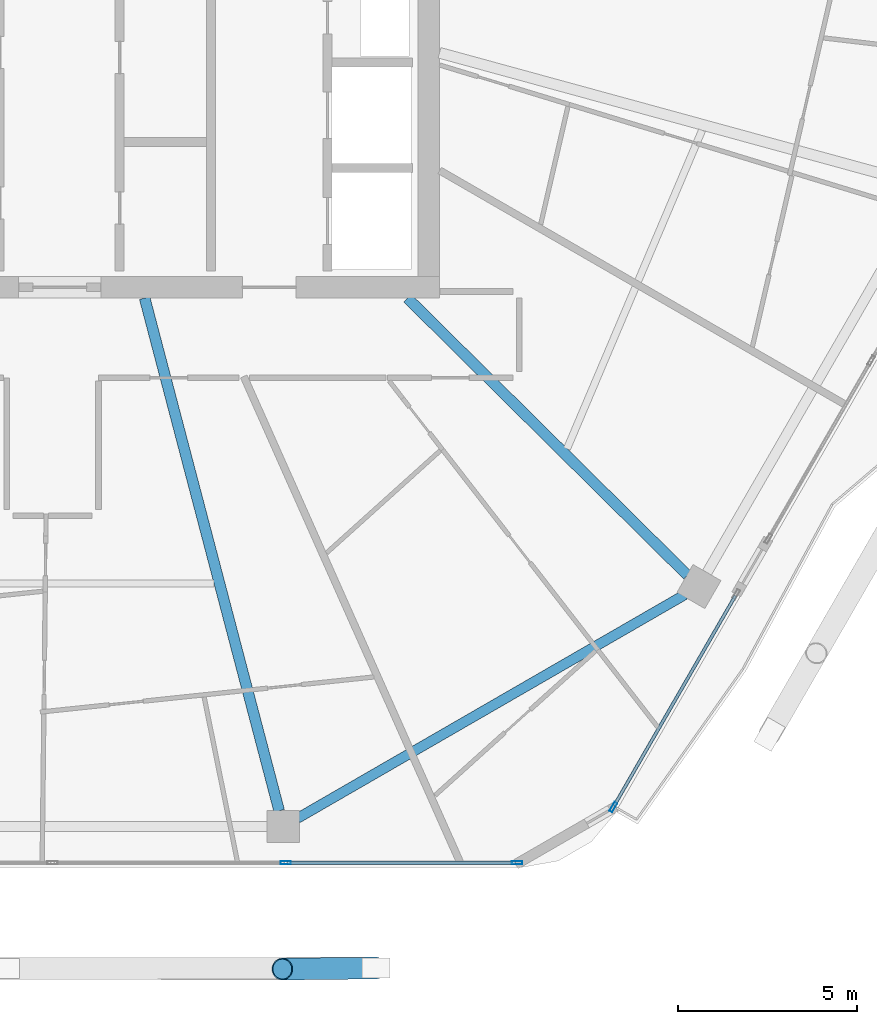
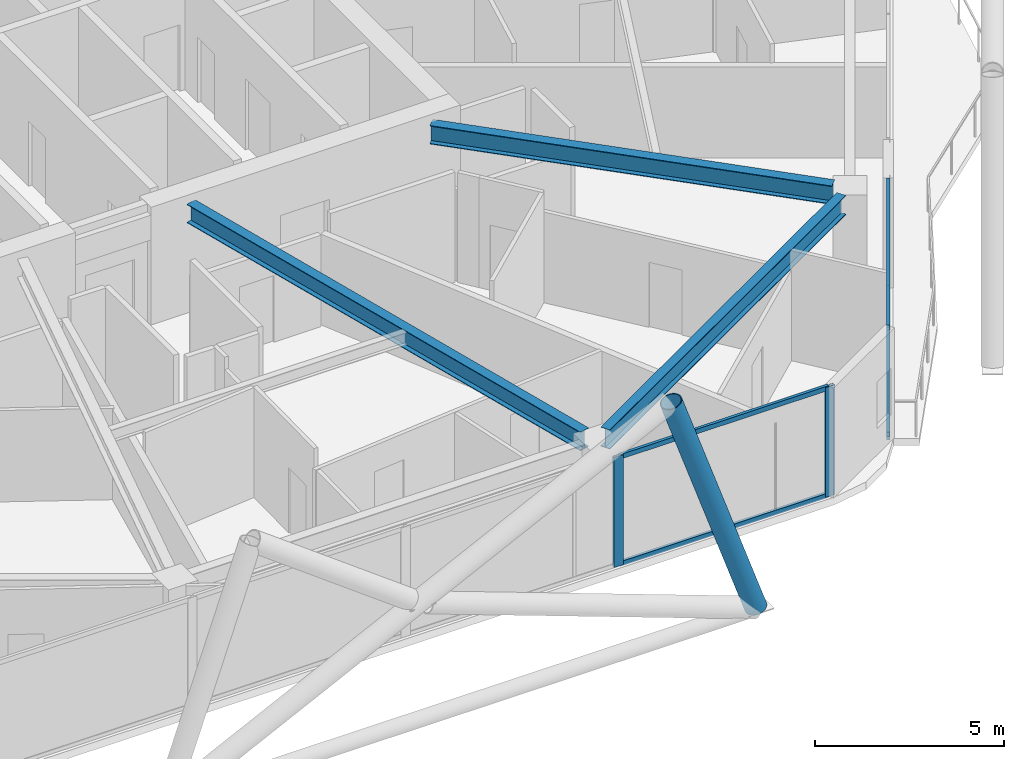
# One storey, part 8 of 29: 8 members, 3 beams, 2 elements without a shape of their own.
"""IFC4 building model written with IfcOpenShell, lengths in metres."""

from ifc_helpers import new_model, si_unit, direction, frame, origin, origin_2d, place, context, subcontext, project, spatial, hollow_rectangle, hollow_circle, i_section, extrude, material, material_profile, profile_set, type_object, element, aggregate, save


model = new_model("IFC4")

# Units and contexts
model_context = context("Model", 3, precision=1e-05, world=origin(), true_north=direction((0.0, 1.0)))
body_context = subcontext(model_context, "Body", "Model", "MODEL_VIEW")
ifc_project = project(units=[si_unit("LENGTHUNIT", "METRE"), si_unit("AREAUNIT", "SQUARE_METRE"), si_unit("VOLUMEUNIT", "CUBIC_METRE"), si_unit("PLANEANGLEUNIT", "RADIAN"), si_unit("MASSUNIT", "GRAM", prefix="KILO")], contexts=[model_context])

# Site, building, storey
site_placement = place(None, origin())
site = spatial("IfcSite", under=ifc_project, at=site_placement, CompositionType="ELEMENT")
building_placement = place(site_placement, origin())
building = spatial("IfcBuilding", under=site, at=building_placement, Name="Zuhravey Tower", CompositionType="ELEMENT")
storey_placement = place(building_placement, frame((0.0, 0.0, 246.39990234375)))
storey = spatial("IfcBuildingStorey", under=building, at=storey_placement, Name="L62", CompositionType="ELEMENT", Elevation=246.39990234375)

# Curtain wall, member
ifc_material_1 = material(Name="Thermally broken anodised aluminium", Category="aluminium")
curtain_wall_type = type_object("IfcCurtainWallType", Name="Zone 3-4 High-Rise Curtain Wall CW4", PredefinedType="NOTDEFINED", material=ifc_material_1)
curtain_wall_1_placement = place(storey_placement, origin())
curtain_wall_1 = element("IfcCurtainWall", 1, at=curtain_wall_1_placement, inside=storey, type_object=curtain_wall_type, Name="L62 CW4 CW-L62-F6-2", PredefinedType="NOTDEFINED")
ifc_material_2 = material(Name="Anodised aluminium", Category="aluminium")
ifc_material_profile_1 = material_profile(ifc_material_2, hollow_rectangle(XDim=0.090087890625, YDim=0.284912109375, WallThickness=0.0048828125, at=origin_2d()), Name="ALU-RHS-90x285x5")
ifc_profile_set_1 = profile_set([ifc_material_profile_1], Name="Anodised aluminium")
member_type_1 = type_object("IfcMemberType", Name="Curtain-Wall Mullion 90x180", PredefinedType="MULLION", material=ifc_profile_set_1)
member_1_placement = place(storey_placement, frame((51.65478515625, 7.98779296875, 0.0), z_axis=(0.0, 0.0, 1.0), x_axis=(0.866023613839, -0.500003100264, 0.0)))
member_1 = element("IfcMember", 2, at=member_1_placement, type_object=member_type_1, Name="CW4 mullion 2", PredefinedType="MULLION", context=body_context, shape_type="SweptSolid", body=[
    extrude(hollow_rectangle(XDim=0.090087890625, YDim=0.284912109375, WallThickness=0.0048828125, at=origin_2d()), origin(), (0.0, 0.0, 1.0), 3.550048828125),
])

# Curtain wall, members
curtain_wall_2_placement = place(storey_placement, origin())
curtain_wall_2 = element("IfcCurtainWall", 3, at=curtain_wall_2_placement, inside=storey, type_object=curtain_wall_type, Name="L62 CW4 CW-L62-F5-1", PredefinedType="NOTDEFINED")
member_2_placement = place(storey_placement, frame((48.9677734375, 6.436279296875, 0.0), z_axis=(0.0, 0.0, 1.0), x_axis=(0.0, -1.0, 0.0)))
member_2 = element("IfcMember", 4, at=member_2_placement, type_object=member_type_1, Name="CW4 mullion 1", PredefinedType="MULLION", context=body_context, shape_type="SweptSolid", body=[
    extrude(hollow_rectangle(XDim=0.090087890625, YDim=0.284912109375, WallThickness=0.0048828125, at=origin_2d()), origin(), (0.0, 0.0, 1.0), 3.550048828125),
])
member_3_placement = place(storey_placement, frame((42.50634765625, 6.436279296875, 0.0), z_axis=(0.0, 0.0, 1.0), x_axis=(0.0, -1.0, 0.0)))
member_3 = element("IfcMember", 5, at=member_3_placement, type_object=member_type_1, Name="CW4 mullion 2", PredefinedType="MULLION", context=body_context, shape_type="SweptSolid", body=[
    extrude(hollow_rectangle(XDim=0.090087890625, YDim=0.284912109375, WallThickness=0.0048828125, at=origin_2d()), origin(), (0.0, 0.0, 1.0), 3.550048828125),
])

# Member
ifc_material_profile_2 = material_profile(ifc_material_2, hollow_rectangle(XDim=0.090087890625, YDim=0.14990234375, WallThickness=0.0048828125, at=origin_2d()), Name="ALU-RHS-90x150x5")
ifc_profile_set_2 = profile_set([ifc_material_profile_2], Name="Anodised aluminium")
member_type_2 = type_object("IfcMemberType", Name="Curtain-Wall Transom 90x150", PredefinedType="USERDEFINED", material=ifc_profile_set_2)
member_4_placement = place(storey_placement, frame((55.0625, 13.889892578125, 0.045166015625), z_axis=(-0.499998195608, -0.866026445548, 0.0), x_axis=(0.866026445548, -0.499998195608, 0.0)))
member_4 = element("IfcMember", 6, at=member_4_placement, type_object=member_type_2, Name="CW4 transom 1.1", ObjectType="TRANSOM", PredefinedType="USERDEFINED", context=body_context, shape_type="SweptSolid", body=[
    extrude(hollow_rectangle(XDim=0.090087890625, YDim=0.14990234375, WallThickness=0.0048828125, at=origin_2d()), origin(), (0.0, 0.0, 1.0), 6.77001953125),
])

member_5_placement = place(storey_placement, frame((55.0625, 13.889892578125, 3.505126953125), z_axis=(-0.499998195608, -0.866026445548, 0.0), x_axis=(0.866026445548, -0.499998195608, 0.0)))
member_5 = element("IfcMember", 7, at=member_5_placement, type_object=member_type_2, Name="CW4 transom 1.2", ObjectType="TRANSOM", PredefinedType="USERDEFINED", context=body_context, shape_type="SweptSolid", body=[
    extrude(hollow_rectangle(XDim=0.090087890625, YDim=0.14990234375, WallThickness=0.0048828125, at=origin_2d()), origin(), (0.0, 0.0, 1.0), 6.77001953125),
])

aggregate(curtain_wall_1, [member_1, member_4, member_5])

member_6_placement = place(storey_placement, frame((48.922607421875, 6.436279296875, 0.045166015625), z_axis=(-1.0, 0.0, 0.0), x_axis=(0.0, -1.0, 0.0)))
member_6 = element("IfcMember", 8, at=member_6_placement, type_object=member_type_2, Name="CW4 transom 1.1", ObjectType="TRANSOM", PredefinedType="USERDEFINED", context=body_context, shape_type="SweptSolid", body=[
    extrude(hollow_rectangle(XDim=0.090087890625, YDim=0.14990234375, WallThickness=0.0048828125, at=origin_2d()), origin(), (0.0, 0.0, 1.0), 6.371337890625),
])

member_7_placement = place(storey_placement, frame((48.922607421875, 6.436279296875, 3.505126953125), z_axis=(-1.0, 0.0, 0.0), x_axis=(0.0, -1.0, 0.0)))
member_7 = element("IfcMember", 9, at=member_7_placement, type_object=member_type_2, Name="CW4 transom 1.2", ObjectType="TRANSOM", PredefinedType="USERDEFINED", context=body_context, shape_type="SweptSolid", body=[
    extrude(hollow_rectangle(XDim=0.090087890625, YDim=0.14990234375, WallThickness=0.0048828125, at=origin_2d()), origin(), (0.0, 0.0, 1.0), 6.371337890625),
])

aggregate(curtain_wall_2, [member_2, member_3, member_6, member_7])

ifc_material_3 = material(Name="Steel SM355", Category="steel")
ifc_material_profile_3 = material_profile(ifc_material_3, hollow_circle(Radius=0.3046875, WallThickness=0.028076171875, at=origin_2d()), Name="CHS-609.6x28")
ifc_profile_set_3 = profile_set([ifc_material_profile_3], Name="Steel SM355")
member_type_3 = type_object("IfcMemberType", Name="Exoskeleton Zone 3 Diagrid CHS610x28", PredefinedType="BRACE", material=ifc_profile_set_3)
member_8_placement = place(storey_placement, frame((45.022705078125, 3.496337890625, -0.44580078125), z_axis=(-0.326058009418, -0.003722541376, 0.94534243382), x_axis=(0.011416063057, -0.999934834629, 0.0)))
element("IfcMember", 10, at=member_8_placement, inside=storey, type_object=member_type_3, Name="L62 Face 5 Diagrid Brace 4", PredefinedType="BRACE", context=body_context, shape_type="SweptSolid", body=[
    extrude(hollow_circle(Radius=0.3046875, WallThickness=0.028076171875, at=origin_2d()), origin(), (0.0, 0.0, 1.0), 8.001220703125),
])

# Beams
ifc_material_profile_4 = material_profile(ifc_material_3, i_section(OverallWidth=0.280029296875, OverallDepth=0.6201171875, WebThickness=0.011962890625, FlangeThickness=0.02001953125, at=origin_2d()), Name="H-620x280x12x20")
ifc_profile_set_4 = profile_set([ifc_material_profile_4], Name="Steel SM355")
beam_type_1 = type_object("IfcBeamType", Name="Perimeter Ring Beam H620x280", PredefinedType="BEAM", material=ifc_profile_set_4)
beam_1_placement = place(storey_placement, frame((42.833251953125, 7.6728515625, 3.239990234375), z_axis=(0.866025131093, 0.500000472315, 0.0), x_axis=(-0.500000472315, 0.866025131093, 0.0)))
element("IfcBeam", 11, at=beam_1_placement, inside=storey, type_object=beam_type_1, Name="L62 PB3 BM-L62-PB-10", PredefinedType="BEAM", context=body_context, shape_type="SweptSolid", body=[
    extrude(i_section(OverallWidth=0.280029296875, OverallDepth=0.6201171875, WebThickness=0.011962890625, FlangeThickness=0.02001953125, at=origin_2d()), origin(), (0.0, 0.0, 1.0), 12.49169921875),
])
ifc_material_profile_5 = material_profile(ifc_material_3, i_section(OverallWidth=0.300048828125, OverallDepth=0.60009765625, WebThickness=0.011962890625, FlangeThickness=0.02001953125, at=origin_2d()), Name="H-600x300x12x20")
ifc_profile_set_5 = profile_set([ifc_material_profile_5], Name="Steel SM355")
beam_type_2 = type_object("IfcBeamType", Name="Radial Primary Girder H600x300", PredefinedType="BEAM", material=ifc_profile_set_5)
beam_2_placement = place(storey_placement, frame((38.571533203125, 22.197021484375, 3.25), z_axis=(0.253731415841, -0.967274712073, 0.0), x_axis=(0.967274712073, 0.253731415841, 0.0)))
element("IfcBeam", 12, at=beam_2_placement, inside=storey, type_object=beam_type_2, Name="L62 RG3 BM-L62-RAD-10", PredefinedType="BEAM", context=body_context, shape_type="SweptSolid", body=[
    extrude(i_section(OverallWidth=0.300048828125, OverallDepth=0.60009765625, WebThickness=0.011962890625, FlangeThickness=0.02001953125, at=origin_2d()), origin(), (0.0, 0.0, 1.0), 14.796630859375),
])
beam_3_placement = place(storey_placement, frame((45.90673828125, 22.197021484375, 3.25), z_axis=(0.710816516282, -0.703377480576, 0.0), x_axis=(0.703377480576, 0.710816516282, 0.0)))
element("IfcBeam", 13, at=beam_3_placement, inside=storey, type_object=beam_type_2, Name="L62 RG3 BM-L62-RAD-11", PredefinedType="BEAM", context=body_context, shape_type="SweptSolid", body=[
    extrude(i_section(OverallWidth=0.300048828125, OverallDepth=0.60009765625, WebThickness=0.011962890625, FlangeThickness=0.02001953125, at=origin_2d()), origin(), (0.0, 0.0, 1.0), 10.994384765625),
])

save(model, "model.ifc")
